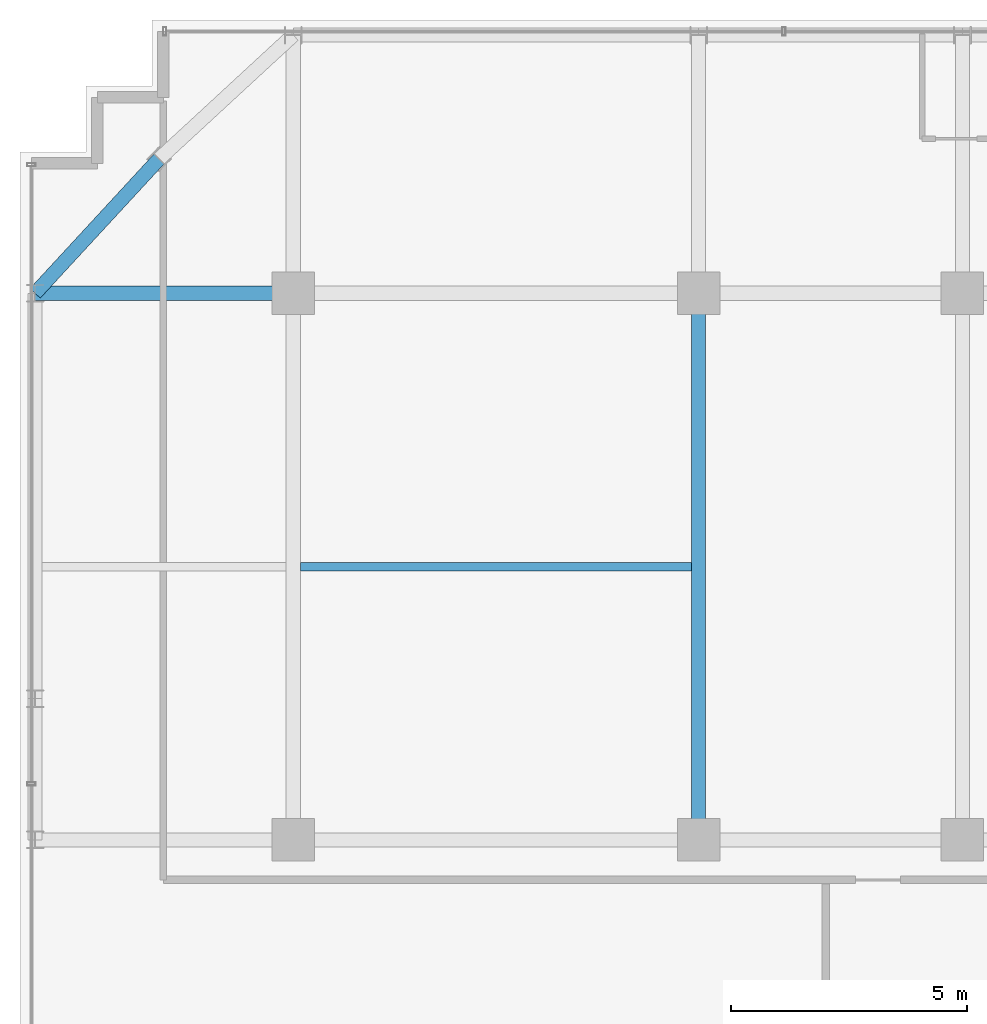
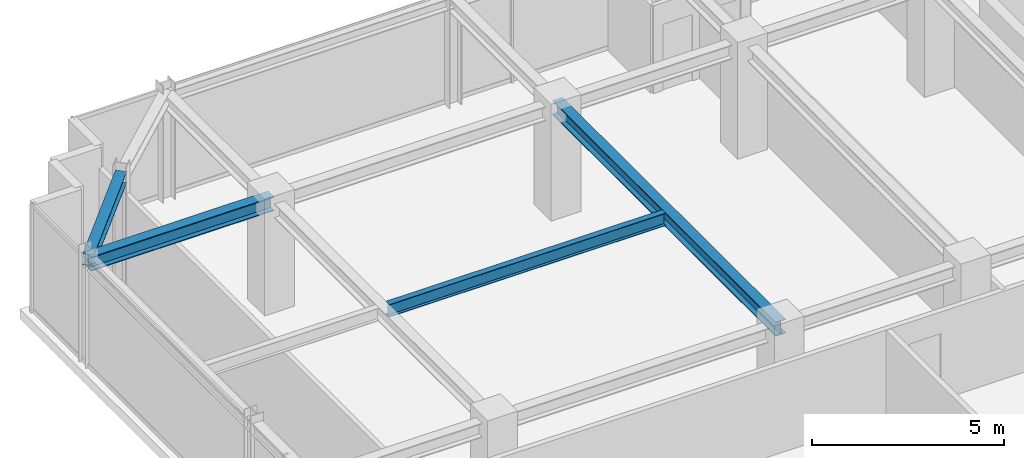
# One storey, part 16 of 32: 4 beams.
"""IFC4 building model written with IfcOpenShell, lengths in metres."""

from ifc_helpers import new_model, si_unit, direction, frame, origin, origin_2d, place, context, subcontext, project, spatial, i_section, extrude, source, transform, mapped, material, material_profile, profile_set, type_object, element, save


model = new_model("IFC4")

# Units and contexts
model_context = context("Model", 3, precision=1e-05, world=origin(), true_north=direction((0.0, 1.0)))
body_context = subcontext(model_context, "Body", "Model", "MODEL_VIEW")
ifc_project = project(units=[si_unit("LENGTHUNIT", "METRE"), si_unit("AREAUNIT", "SQUARE_METRE"), si_unit("VOLUMEUNIT", "CUBIC_METRE"), si_unit("PLANEANGLEUNIT", "RADIAN"), si_unit("MASSUNIT", "GRAM", prefix="KILO")], contexts=[model_context])

# Site, building, storey
site_placement = place(None, origin())
site = spatial("IfcSite", under=ifc_project, at=site_placement, CompositionType="ELEMENT")
building_placement = place(site_placement, origin())
building = spatial("IfcBuilding", under=site, at=building_placement, Name="Nahalor Promenade Grand Hotel", CompositionType="ELEMENT")
storey_placement = place(building_placement, frame((0.0, 0.0, 285.050048828125)))
storey = spatial("IfcBuildingStorey", under=building, at=storey_placement, Name="L73", CompositionType="ELEMENT", Elevation=285.050048828125)

# Beams
ifc_material = material(Name="Steel S355JR", Category="steel")
ifc_material_profile_1 = material_profile(ifc_material, i_section(OverallWidth=0.3, OverallDepth=0.45, WebThickness=0.014, FlangeThickness=0.026, at=origin_2d()), Name="HEB 450")
ifc_profile_set_1 = profile_set([ifc_material_profile_1], Name="Steel S355JR")
beam_type_1 = type_object("IfcBeamType", Name="Beam-Girder-HEB450", PredefinedType="BEAM", material=ifc_profile_set_1)
shared_shape_1 = source(origin(), body_context, "Body", "SweptSolid", [
    extrude(i_section(OverallWidth=0.3, OverallDepth=0.45, WebThickness=0.014, FlangeThickness=0.026, at=origin_2d()), origin(), (0.0, 0.0, 1.0), 11.60009765625),
])
beam_1_placement = place(storey_placement, frame((-8.39990234375, 5.39990234375, 3.224853515625), z_axis=(0.0, 1.0, 0.0), x_axis=(-1.0, 0.0, 0.0)))
element("IfcBeam", 1, at=beam_1_placement, inside=storey, type_object=beam_type_1, Name="BM-L73-GY-1-3", PredefinedType="BEAM", context=body_context, shape_type="MappedRepresentation", body=[
    mapped(shared_shape_1, transform((0.0, 0.0, 0.0), scale=1.0)),
])
ifc_material_profile_2 = material_profile(ifc_material, i_section(OverallWidth=0.18, OverallDepth=0.4, WebThickness=0.0086, FlangeThickness=0.0135, at=origin_2d()), Name="IPE 400")
ifc_profile_set_2 = profile_set([ifc_material_profile_2], Name="Steel S355JR")
beam_type_2 = type_object("IfcBeamType", Name="Beam-Joist-IPE400", PredefinedType="JOIST", material=ifc_profile_set_2)
shared_shape_2 = source(origin(), body_context, "Body", "SweptSolid", [
    extrude(i_section(OverallWidth=0.18, OverallDepth=0.4, WebThickness=0.0086, FlangeThickness=0.0135, at=origin_2d()), origin(), (0.0, 0.0, 1.0), 8.300048828125),
])
beam_2_placement = place(storey_placement, frame((-16.85009765625, 11.199951171875, 3.25), z_axis=(1.0, 0.0, 0.0), x_axis=(0.0, 1.0, 0.0)))
element("IfcBeam", 2, at=beam_2_placement, inside=storey, type_object=beam_type_2, Name="BM-L73-JSW-1-1", PredefinedType="JOIST", context=body_context, shape_type="MappedRepresentation", body=[
    mapped(shared_shape_2, transform((0.0, 0.0, 0.0), scale=1.0)),
])
shared_shape_3 = source(origin(), body_context, "Body", "SweptSolid", [
    extrude(i_section(OverallWidth=0.3, OverallDepth=0.45, WebThickness=0.014, FlangeThickness=0.026, at=origin_2d()), origin(), (0.0, 0.0, 1.0), 5.47998046875),
])
beam_3_placement = place(storey_placement, frame((-22.47998046875, 17.0, 3.224853515625), z_axis=(1.0, 0.0, 0.0), x_axis=(0.0, 1.0, 0.0)))
element("IfcBeam", 3, at=beam_3_placement, inside=storey, type_object=beam_type_1, Name="BM-L73-GX-3-0", PredefinedType="BEAM", context=body_context, shape_type="MappedRepresentation", body=[
    mapped(shared_shape_3, transform((0.0, 0.0, 0.0), scale=1.0)),
])
ifc_material_profile_3 = material_profile(ifc_material, i_section(OverallWidth=0.3, OverallDepth=0.36, WebThickness=0.0125, FlangeThickness=0.0225, at=origin_2d()), Name="HEB 360")
ifc_profile_set_3 = profile_set([ifc_material_profile_3], Name="Steel S355JR")
beam_type_3 = type_object("IfcBeamType", Name="Beam-Spandrel-HEB360", PredefinedType="SPANDREL", material=ifc_profile_set_3)
shared_shape_4 = source(origin(), body_context, "Body", "SweptSolid", [
    extrude(i_section(OverallWidth=0.3, OverallDepth=0.36, WebThickness=0.0125, FlangeThickness=0.0225, at=origin_2d()), origin(), (0.0, 0.0, 1.0), 3.878173828125),
])
beam_4_placement = place(storey_placement, frame((-19.85009765625, 19.85009765625, 3.27001953125), z_axis=(-0.678144125843, -0.73492893846, 0.0), x_axis=(0.73492893846, -0.678144125843, 0.0)))
element("IfcBeam", 4, at=beam_4_placement, inside=storey, type_object=beam_type_3, Name="BM-L73-SPC-NW-2", PredefinedType="SPANDREL", context=body_context, shape_type="MappedRepresentation", body=[
    mapped(shared_shape_4, transform((0.0, 0.0, 0.0), scale=1.0)),
])

save(model, "model.ifc")
